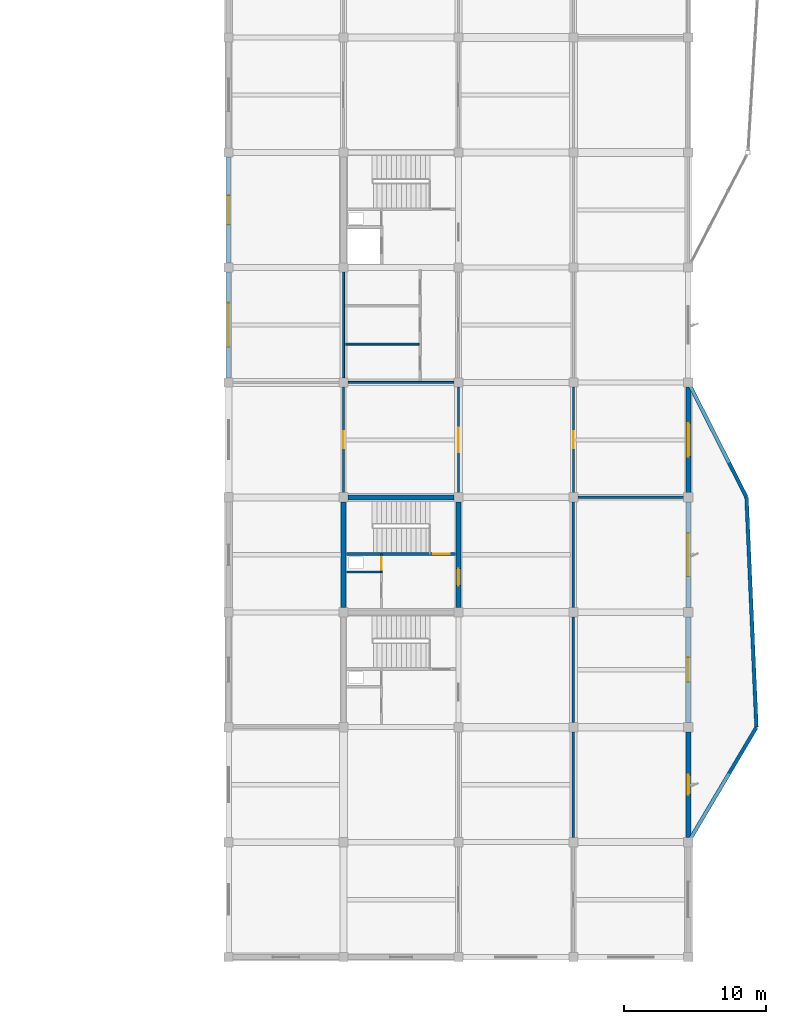
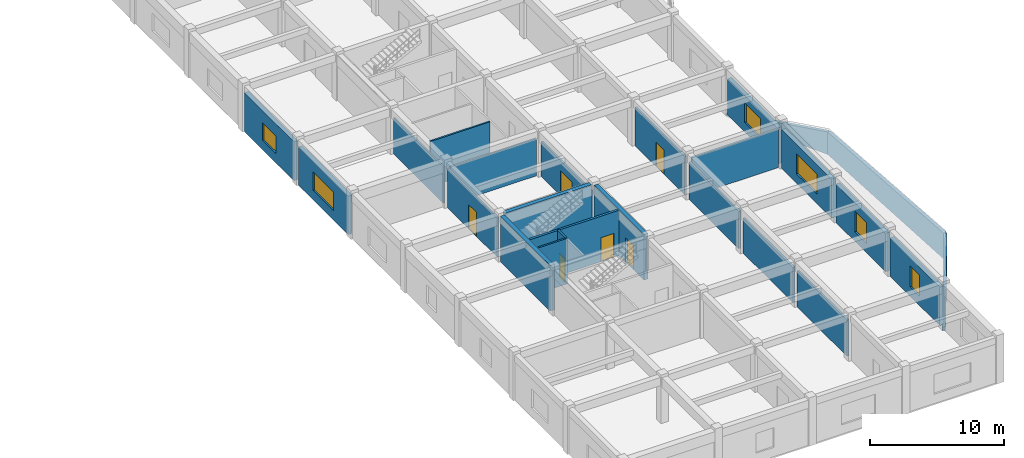
# One storey, part 32 of 42: 25 walls, 6 doors, 6 windows, 12 openings.
"""IFC4 building model written with IfcOpenShell, lengths in metres."""

from ifc_helpers import new_model, si_unit, direction, frame, frame_2d, origin, place, context, subcontext, project, spatial, polyline, rectangle, outline, extrude, material, layer, layer_set, type_object, element, fill, save


model = new_model("IFC4")

# Units and contexts
model_context = context("Model", 3, precision=1e-05, world=origin(), true_north=direction((0.0, 1.0)))
body_context = subcontext(model_context, "Body", "Model", "MODEL_VIEW")
ifc_project = project(units=[si_unit("LENGTHUNIT", "METRE"), si_unit("AREAUNIT", "SQUARE_METRE"), si_unit("VOLUMEUNIT", "CUBIC_METRE"), si_unit("PLANEANGLEUNIT", "RADIAN"), si_unit("MASSUNIT", "GRAM", prefix="KILO")], contexts=[model_context])

# Site, building, storey
site_placement = place(None, origin())
site = spatial("IfcSite", under=ifc_project, at=site_placement, CompositionType="ELEMENT")
building_placement = place(site_placement, origin())
building = spatial("IfcBuilding", under=site, at=building_placement, Name="Vaudrelin Polytechnic", CompositionType="ELEMENT")
storey_placement = place(building_placement, frame((0.0, 0.0, 18.530029296875)))
storey = spatial("IfcBuildingStorey", under=building, at=storey_placement, Name="L04", CompositionType="ELEMENT", Elevation=18.530029296875)

# Walls
ifc_material_1 = material(Name="Precast concrete 35 MPa with standing-seam zinc rainscreen", Category="concrete")
ifc_layer_1 = layer(ifc_material_1, 0.260009765625)
ifc_layer_set_1 = layer_set([ifc_layer_1], Name="Precast concrete 35 MPa with standing-seam zinc rainscreen")
wall_type_1 = type_object("IfcWallType", Name="WAL-EW-CLER260", PredefinedType="STANDARD", material=ifc_layer_set_1)
wall_1_placement = place(storey_placement, frame((170.110107421875, 24.317138671875, -0.35009765625), z_axis=(0.0, 0.0, 1.0), x_axis=(0.509812383307, 0.860285611775, 0.0)))
element("IfcWall", 1, at=wall_1_placement, inside=storey, type_object=wall_type_1, Name="Deconstructivist pod clerestory E_OR1-1", PredefinedType="STANDARD", context=body_context, shape_type="SweptSolid", body=[
    extrude(outline(polyline([(0.0, 0.0), (9.37548828125, 0.0), (9.37548828125, 2.360107421875), (0.0, 0.360107421875), (0.0, 0.0)])), frame((0.0, 0.1298828125, 0.0), z_axis=(0.0, -1.0, 0.0), x_axis=(1.0, 0.0, 0.0)), (0.0, 0.0, 1.0), 0.260009765625),
])
wall_2_placement = place(storey_placement, frame((174.899169921875, 32.419921875, -0.35009765625), z_axis=(0.0, 0.0, 1.0), x_axis=(-0.043167362599, 0.999067854956, 0.0)))
element("IfcWall", 2, at=wall_2_placement, inside=storey, type_object=wall_type_1, Name="Deconstructivist pod clerestory E_OR1-2", PredefinedType="STANDARD", context=body_context, shape_type="SweptSolid", body=[
    extrude(outline(polyline([(0.0, 0.0), (16.17529296875, 0.0), (16.175048828125, 2.068359375), (0.0, 2.360107421875), (0.0, 0.0)])), frame((0.0, 0.1298828125, 0.0), z_axis=(0.0, -1.0, 0.0), x_axis=(1.0, 0.0, 0.0)), (0.0, 0.0, 1.0), 0.260009765625),
])
wall_3_placement = place(storey_placement, frame((174.19091796875, 48.617919921875, -0.35009765625), z_axis=(0.0, 0.0, 1.0), x_axis=(-0.451627168657, 0.892206758846, 0.0)))
element("IfcWall", 3, at=wall_3_placement, inside=storey, type_object=wall_type_1, Name="Deconstructivist pod clerestory E_OR1-3", PredefinedType="STANDARD", context=body_context, shape_type="SweptSolid", body=[
    extrude(outline(polyline([(0.0, 0.0), (9.03857421875, 0.0), (9.03857421875, 0.360107421875), (0.0, 2.068359375), (0.0, 0.0)])), frame((0.0, 0.1298828125, 0.0), z_axis=(0.0, -1.0, 0.0), x_axis=(1.0, 0.0, 0.0)), (0.0, 0.0, 1.0), 0.260009765625),
])

# Wall, opening, window
ifc_material_2 = material(Name="Precast concrete 35 MPa with terracotta baguette screen", Category="masonry")
ifc_layer_2 = layer(ifc_material_2, 0.35009765625)
ifc_layer_set_2 = layer_set([ifc_layer_2], Name="Precast concrete 35 MPa with terracotta baguette screen")
wall_type_2 = type_object("IfcWallType", Name="WAL-EW-TERR350", PredefinedType="STANDARD", material=ifc_layer_set_2)
wall_4_placement = place(storey_placement, frame((170.10009765625, 24.623046875, 0.0), z_axis=(0.0, 0.0, 1.0), x_axis=(0.0, 1.0, 0.0)))
wall_4 = element("IfcWall", 4, at=wall_4_placement, inside=storey, type_object=wall_type_2, Name="Exterior wall L04 E_V4_01", PredefinedType="STANDARD", context=body_context, shape_type="SweptSolid", body=[
    extrude(rectangle(XDim=7.453857421875, YDim=0.35009765625, at=frame_2d((3.72705078125, 0.0))), origin(), (0.0, 0.0, 1.0), 3.511962890625),
])
opening_1_placement = place(wall_4_placement, frame((3.027099609375, 0.0, 0.85009765625)))
opening_1 = element("IfcOpeningElement", 5, at=opening_1_placement, cuts=wall_4, Name="Opening W-L04-E-V4-02", PredefinedType="OPENING", context=body_context, shape_type="SweptSolid", body=[
    extrude(rectangle(XDim=1.39990234375, YDim=1.89990234375, at=frame_2d((0.699951171875, 0.949951171875))), frame((0.0, 0.18505859375, 0.0), z_axis=(0.0, -1.0, 0.0), x_axis=(1.0, 0.0, 0.0)), (0.0, 0.0, 1.0), 0.3701171875),
])
ifc_material_3 = material(Name="Thermally broken aluminium frame with triple low-e glazing", Category="aluminium")
window_type_1 = type_object("IfcWindowType", Name="WIN-WN-28", PartitioningType="SINGLE_PANEL", PredefinedType="WINDOW", material=ifc_material_3)
window_1_placement = place(opening_1_placement, origin())
window_1 = element("IfcWindow", 6, at=window_1_placement, inside=storey, type_object=window_type_1, Name="Facade window L04-E_V4_01", OverallHeight=1.89990234375, OverallWidth=1.39990234375, PartitioningType="SINGLE_PANEL", PredefinedType="WINDOW", context=body_context, shape_type="SweptSolid", body=[
    extrude(rectangle(XDim=1.39990234375, YDim=1.89990234375, at=frame_2d((0.699951171875, 0.949951171875))), frame((0.0, 0.030029296875, 0.0), z_axis=(0.0, -1.0, 0.0), x_axis=(1.0, 0.0, 0.0)), (0.0, 0.0, 1.0), 0.06005859375),
])
fill(opening_1, window_1)

wall_5_placement = place(storey_placement, frame((170.10009765625, 32.722900390625, 0.0), z_axis=(0.0, 0.0, 1.0), x_axis=(0.0, 1.0, 0.0)))
wall_5 = element("IfcWall", 7, at=wall_5_placement, inside=storey, type_object=wall_type_2, Name="Exterior wall L04 E_V4_02", PredefinedType="STANDARD", context=body_context, shape_type="SweptSolid", body=[
    extrude(rectangle(XDim=7.4541015625, YDim=0.35009765625, at=frame_2d((3.72705078125, 0.0))), origin(), (0.0, 0.0, 1.0), 3.511962890625),
])
opening_2_placement = place(wall_5_placement, frame((2.85205078125, 0.0, 0.85009765625)))
opening_2 = element("IfcOpeningElement", 8, at=opening_2_placement, cuts=wall_5, Name="Opening W-L04-E-V4-03", PredefinedType="OPENING", context=body_context, shape_type="SweptSolid", body=[
    extrude(rectangle(XDim=1.75, YDim=1.89990234375, at=frame_2d((0.875, 0.949951171875))), frame((0.0, 0.18505859375, 0.0), z_axis=(0.0, -1.0, 0.0), x_axis=(1.0, 0.0, 0.0)), (0.0, 0.0, 1.0), 0.3701171875),
])
window_type_2 = type_object("IfcWindowType", Name="WIN-WN-29", PartitioningType="SINGLE_PANEL", PredefinedType="WINDOW", material=ifc_material_3)
window_2_placement = place(opening_2_placement, origin())
window_2 = element("IfcWindow", 9, at=window_2_placement, inside=storey, type_object=window_type_2, Name="Facade window L04-E_V4_02", OverallHeight=1.89990234375, OverallWidth=1.75, PartitioningType="SINGLE_PANEL", PredefinedType="WINDOW", context=body_context, shape_type="SweptSolid", body=[
    extrude(rectangle(XDim=1.75, YDim=1.89990234375, at=frame_2d((0.875, 0.949951171875))), frame((0.0, 0.030029296875, 0.0), z_axis=(0.0, -1.0, 0.0), x_axis=(1.0, 0.0, 0.0)), (0.0, 0.0, 1.0), 0.06005859375),
])
fill(opening_2, window_2)

wall_6_placement = place(storey_placement, frame((170.10009765625, 40.822998046875, 0.0), z_axis=(0.0, 0.0, 1.0), x_axis=(0.0, 1.0, 0.0)))
wall_6 = element("IfcWall", 10, at=wall_6_placement, inside=storey, type_object=wall_type_2, Name="Exterior wall L04 E_V4_03", PredefinedType="STANDARD", context=body_context, shape_type="SweptSolid", body=[
    extrude(rectangle(XDim=7.4541015625, YDim=0.35009765625, at=frame_2d((3.72705078125, 0.0))), origin(), (0.0, 0.0, 1.0), 3.56201171875),
])
opening_3_placement = place(wall_6_placement, frame((2.201904296875, 0.0, 0.85009765625)))
opening_3 = element("IfcOpeningElement", 11, at=opening_3_placement, cuts=wall_6, Name="Opening W-L04-E-V4-04", PredefinedType="OPENING", context=body_context, shape_type="SweptSolid", body=[
    extrude(rectangle(XDim=3.050048828125, YDim=1.85009765625, at=frame_2d((1.52490234375, 0.925048828125))), frame((0.0, 0.18505859375, 0.0), z_axis=(0.0, -1.0, 0.0), x_axis=(1.0, 0.0, 0.0)), (0.0, 0.0, 1.0), 0.3701171875),
])
window_type_3 = type_object("IfcWindowType", Name="WIN-WN-30", PartitioningType="SINGLE_PANEL", PredefinedType="WINDOW", material=ifc_material_3)
window_3_placement = place(opening_3_placement, origin())
window_3 = element("IfcWindow", 12, at=window_3_placement, inside=storey, type_object=window_type_3, Name="Facade window L04-E_V4_03", OverallHeight=1.85009765625, OverallWidth=3.050048828125, PartitioningType="SINGLE_PANEL", PredefinedType="WINDOW", context=body_context, shape_type="SweptSolid", body=[
    extrude(rectangle(XDim=3.050048828125, YDim=1.85009765625, at=frame_2d((1.52490234375, 0.925048828125))), frame((0.0, 0.030029296875, 0.0), z_axis=(0.0, -1.0, 0.0), x_axis=(1.0, 0.0, 0.0)), (0.0, 0.0, 1.0), 0.06005859375),
])
fill(opening_3, window_3)

wall_7_placement = place(storey_placement, frame((170.10009765625, 48.923095703125, 0.0), z_axis=(0.0, 0.0, 1.0), x_axis=(0.0, 1.0, 0.0)))
wall_7 = element("IfcWall", 13, at=wall_7_placement, inside=storey, type_object=wall_type_2, Name="Exterior wall L04 E_V4_04", PredefinedType="STANDARD", context=body_context, shape_type="SweptSolid", body=[
    extrude(rectangle(XDim=7.453857421875, YDim=0.35009765625, at=frame_2d((3.72705078125, 0.0))), origin(), (0.0, 0.0, 1.0), 3.31201171875),
])
opening_4_placement = place(wall_7_placement, frame((2.552001953125, 0.0, 0.85009765625)))
opening_4 = element("IfcOpeningElement", 14, at=opening_4_placement, cuts=wall_7, Name="Opening W-L04-E-V4-05", PredefinedType="OPENING", context=body_context, shape_type="SweptSolid", body=[
    extrude(rectangle(XDim=2.35009765625, YDim=1.800048828125, at=frame_2d((1.175048828125, 0.89990234375))), frame((0.0, 0.18505859375, 0.0), z_axis=(0.0, -1.0, 0.0), x_axis=(1.0, 0.0, 0.0)), (0.0, 0.0, 1.0), 0.3701171875),
])
window_type_4 = type_object("IfcWindowType", Name="WIN-WN-31", PartitioningType="SINGLE_PANEL", PredefinedType="WINDOW", material=ifc_material_3)
window_4_placement = place(opening_4_placement, origin())
window_4 = element("IfcWindow", 15, at=window_4_placement, inside=storey, type_object=window_type_4, Name="Facade window L04-E_V4_04", OverallHeight=1.800048828125, OverallWidth=2.35009765625, PartitioningType="SINGLE_PANEL", PredefinedType="WINDOW", context=body_context, shape_type="SweptSolid", body=[
    extrude(rectangle(XDim=2.35009765625, YDim=1.800048828125, at=frame_2d((1.175048828125, 0.89990234375))), frame((0.0, 0.030029296875, 0.0), z_axis=(0.0, -1.0, 0.0), x_axis=(1.0, 0.0, 0.0)), (0.0, 0.0, 1.0), 0.06005859375),
])
fill(opening_4, window_4)

wall_8_placement = place(storey_placement, frame((137.699951171875, 57.02294921875, 0.0), z_axis=(0.0, 0.0, 1.0), x_axis=(0.0, 1.0, 0.0)))
wall_8 = element("IfcWall", 16, at=wall_8_placement, inside=storey, type_object=wall_type_2, Name="Exterior wall L04 W_V4_05", PredefinedType="STANDARD", context=body_context, shape_type="SweptSolid", body=[
    extrude(rectangle(XDim=7.4541015625, YDim=0.35009765625, at=frame_2d((3.72705078125, 0.0))), origin(), (0.0, 0.0, 1.0), 3.511962890625),
])
opening_5_placement = place(wall_8_placement, frame((2.177001953125, 0.0, 0.85009765625)))
opening_5 = element("IfcOpeningElement", 17, at=opening_5_placement, cuts=wall_8, Name="Opening W-L04-W-V4-06", PredefinedType="OPENING", context=body_context, shape_type="SweptSolid", body=[
    extrude(rectangle(XDim=3.10009765625, YDim=1.699951171875, at=frame_2d((1.550048828125, 0.85009765625))), frame((0.0, 0.18505859375, 0.0), z_axis=(0.0, -1.0, 0.0), x_axis=(1.0, 0.0, 0.0)), (0.0, 0.0, 1.0), 0.3701171875),
])
window_type_5 = type_object("IfcWindowType", Name="WIN-WN-42", PartitioningType="SINGLE_PANEL", PredefinedType="WINDOW", material=ifc_material_3)
window_5_placement = place(opening_5_placement, origin())
window_5 = element("IfcWindow", 18, at=window_5_placement, inside=storey, type_object=window_type_5, Name="Facade window L04-W_V4_05", OverallHeight=1.699951171875, OverallWidth=3.10009765625, PartitioningType="SINGLE_PANEL", PredefinedType="WINDOW", context=body_context, shape_type="SweptSolid", body=[
    extrude(rectangle(XDim=3.10009765625, YDim=1.699951171875, at=frame_2d((1.550048828125, 0.85009765625))), frame((0.0, 0.030029296875, 0.0), z_axis=(0.0, -1.0, 0.0), x_axis=(1.0, 0.0, 0.0)), (0.0, 0.0, 1.0), 0.06005859375),
])
fill(opening_5, window_5)

wall_9_placement = place(storey_placement, frame((137.699951171875, 65.123046875, 0.0), z_axis=(0.0, 0.0, 1.0), x_axis=(0.0, 1.0, 0.0)))
wall_9 = element("IfcWall", 19, at=wall_9_placement, inside=storey, type_object=wall_type_2, Name="Exterior wall L04 W_V4_06", PredefinedType="STANDARD", context=body_context, shape_type="SweptSolid", body=[
    extrude(rectangle(XDim=7.453857421875, YDim=0.35009765625, at=frame_2d((3.72705078125, 0.0))), origin(), (0.0, 0.0, 1.0), 3.56201171875),
])
opening_6_placement = place(wall_9_placement, frame((2.701904296875, 0.0, 0.85009765625)))
opening_6 = element("IfcOpeningElement", 20, at=opening_6_placement, cuts=wall_9, Name="Opening W-L04-W-V4-07", PredefinedType="OPENING", context=body_context, shape_type="SweptSolid", body=[
    extrude(rectangle(XDim=2.050048828125, YDim=1.60009765625, at=frame_2d((1.02490234375, 0.800048828125))), frame((0.0, 0.18505859375, 0.0), z_axis=(0.0, -1.0, 0.0), x_axis=(1.0, 0.0, 0.0)), (0.0, 0.0, 1.0), 0.3701171875),
])
window_type_6 = type_object("IfcWindowType", Name="WIN-WN-43", PartitioningType="SINGLE_PANEL", PredefinedType="WINDOW", material=ifc_material_3)
window_6_placement = place(opening_6_placement, origin())
window_6 = element("IfcWindow", 21, at=window_6_placement, inside=storey, type_object=window_type_6, Name="Facade window L04-W_V4_06", OverallHeight=1.60009765625, OverallWidth=2.050048828125, PartitioningType="SINGLE_PANEL", PredefinedType="WINDOW", context=body_context, shape_type="SweptSolid", body=[
    extrude(rectangle(XDim=2.050048828125, YDim=1.60009765625, at=frame_2d((1.02490234375, 0.800048828125))), frame((0.0, 0.030029296875, 0.0), z_axis=(0.0, -1.0, 0.0), x_axis=(1.0, 0.0, 0.0)), (0.0, 0.0, 1.0), 0.06005859375),
])
fill(opening_6, window_6)

# Walls
ifc_material_4 = material(Name="Acoustic double-stud gypsum & mineral-wool partition", Category="gypsum")
ifc_layer_3 = layer(ifc_material_4, 0.179931640625)
ifc_layer_set_3 = layer_set([ifc_layer_3], Name="Acoustic double-stud gypsum & mineral-wool partition")
wall_type_3 = type_object("IfcWallType", Name="WAL-PW-AC180", PredefinedType="PARTITIONING", material=ifc_layer_set_3)
wall_10_placement = place(storey_placement, frame((162.0, 24.623046875, 0.0), z_axis=(0.0, 0.0, 1.0), x_axis=(0.0, 1.0, 0.0)))
element("IfcWall", 22, at=wall_10_placement, inside=storey, type_object=wall_type_3, Name="Partition L04-015 W", PredefinedType="PARTITIONING", context=body_context, shape_type="SweptSolid", body=[
    extrude(rectangle(XDim=7.453857421875, YDim=0.179931640625, at=frame_2d((3.72705078125, 0.0))), origin(), (0.0, 0.0, 1.0), 3.31201171875),
])
wall_11_placement = place(storey_placement, frame((162.0, 32.722900390625, 0.0), z_axis=(0.0, 0.0, 1.0), x_axis=(0.0, 1.0, 0.0)))
element("IfcWall", 23, at=wall_11_placement, inside=storey, type_object=wall_type_3, Name="Partition L04-015 W", PredefinedType="PARTITIONING", context=body_context, shape_type="SweptSolid", body=[
    extrude(rectangle(XDim=7.4541015625, YDim=0.179931640625, at=frame_2d((3.72705078125, 0.0))), origin(), (0.0, 0.0, 1.0), 3.2119140625),
])
wall_12_placement = place(storey_placement, frame((162.0, 40.822998046875, 0.0), z_axis=(0.0, 0.0, 1.0), x_axis=(0.0, 1.0, 0.0)))
element("IfcWall", 24, at=wall_12_placement, inside=storey, type_object=wall_type_3, Name="Partition L04-015 W", PredefinedType="PARTITIONING", context=body_context, shape_type="SweptSolid", body=[
    extrude(rectangle(XDim=7.4541015625, YDim=0.179931640625, at=frame_2d((3.72705078125, 0.0))), origin(), (0.0, 0.0, 1.0), 3.411865234375),
])
wall_13_placement = place(storey_placement, frame((162.322998046875, 48.60009765625, 0.0), z_axis=(0.0, 0.0, 1.0), x_axis=(1.0, 0.0, 0.0)))
element("IfcWall", 25, at=wall_13_placement, inside=storey, type_object=wall_type_3, Name="Partition L04-015 N", PredefinedType="PARTITIONING", context=body_context, shape_type="SweptSolid", body=[
    extrude(rectangle(XDim=7.4541015625, YDim=0.179931640625, at=frame_2d((3.72705078125, 0.0))), origin(), (0.0, 0.0, 1.0), 3.511962890625),
])

# Wall, opening, door
ifc_material_5 = material(Name="Fire-rated steel-stud gypsum compartment wall", Category="steel")
ifc_layer_4 = layer(ifc_material_5, 0.14990234375)
ifc_layer_set_4 = layer_set([ifc_layer_4], Name="Fire-rated steel-stud gypsum compartment wall")
wall_type_4 = type_object("IfcWallType", Name="WAL-PW-FIRE60", PredefinedType="PARTITIONING", material=ifc_layer_set_4)
wall_14_placement = place(storey_placement, frame((148.47998046875, 43.35009765625, 0.0), z_axis=(0.0, 0.0, 1.0), x_axis=(0.0, 1.0, 0.0)))
wall_14 = element("IfcWall", 26, at=wall_14_placement, inside=storey, type_object=wall_type_4, Name="Core C12 riser enclosure wall L04", PredefinedType="PARTITIONING", context=body_context, shape_type="SweptSolid", body=[
    extrude(rectangle(XDim=1.260009765625, YDim=0.14990234375, at=frame_2d((0.6298828125, 0.0))), origin(), (0.0, 0.0, 1.0), 4.161865234375),
])
opening_7_placement = place(wall_14_placement, frame((0.139892578125, 0.0, 0.0)))
opening_7 = element("IfcOpeningElement", 27, at=opening_7_placement, cuts=wall_14, Name="Opening D-L04-283", PredefinedType="OPENING", context=body_context, shape_type="SweptSolid", body=[
    extrude(rectangle(XDim=0.89990234375, YDim=2.14990234375, at=frame_2d((0.449951171875, 1.074951171875))), frame((0.0, 0.0849609375, 0.0), z_axis=(0.0, -1.0, 0.0), x_axis=(1.0, 0.0, 0.0)), (0.0, 0.0, 1.0), 0.169921875),
])
ifc_material_6 = material(Name="Pressed galvanised steel acoustic leaf", Category="steel")
door_type_1 = type_object("IfcDoorType", Name="DOR-ID-RSR1", OperationType="NOTDEFINED", PredefinedType="DOOR", material=ifc_material_6)
door_1_placement = place(opening_7_placement, origin())
door_1 = element("IfcDoor", 28, at=door_1_placement, inside=storey, type_object=door_type_1, Name="Core C12 riser access door L04", OperationType="SINGLE_SWING_RIGHT", OverallHeight=2.14990234375, OverallWidth=0.89990234375, PredefinedType="DOOR", context=body_context, shape_type="SweptSolid", body=[
    extrude(rectangle(XDim=0.89990234375, YDim=2.14990234375, at=frame_2d((0.449951171875, 1.074951171875))), frame((0.0, 0.02490234375, 0.0), z_axis=(0.0, -1.0, 0.0), x_axis=(1.0, 0.0, 0.0)), (0.0, 0.0, 1.0), 0.050048828125),
])
fill(opening_7, door_1)

# Wall
wall_15_placement = place(storey_placement, frame((146.02001953125, 43.35009765625, 0.0), z_axis=(0.0, 0.0, 1.0), x_axis=(1.0, 0.0, 0.0)))
element("IfcWall", 29, at=wall_15_placement, inside=storey, type_object=wall_type_4, Name="Core C12 riser south fire wall L04", PredefinedType="PARTITIONING", context=body_context, shape_type="SweptSolid", body=[
    extrude(rectangle(XDim=2.530029296875, YDim=0.14990234375, at=frame_2d((1.26513671875, 0.0))), origin(), (0.0, 0.0, 1.0), 4.161865234375),
])

# Wall, opening, door
ifc_material_7 = material(Name="Moisture- and chemical-resistant laboratory partition", Category="gypsum")
ifc_layer_5 = layer(ifc_material_7, 0.159912109375)
ifc_layer_set_5 = layer_set([ifc_layer_5], Name="Moisture- and chemical-resistant laboratory partition")
wall_type_5 = type_object("IfcWallType", Name="WAL-PW-LAB160", PredefinedType="PARTITIONING", material=ifc_layer_set_5)
wall_16_placement = place(storey_placement, frame((145.800048828125, 48.923095703125, 0.0), z_axis=(0.0, 0.0, 1.0), x_axis=(0.0, 1.0, 0.0)))
wall_16 = element("IfcWall", 30, at=wall_16_placement, inside=storey, type_object=wall_type_5, Name="Partition L04-009 E", PredefinedType="PARTITIONING", context=body_context, shape_type="SweptSolid", body=[
    extrude(rectangle(XDim=7.453857421875, YDim=0.159912109375, at=frame_2d((3.72705078125, 0.0))), origin(), (0.0, 0.0, 1.0), 3.56201171875),
])
opening_8_placement = place(wall_16_placement, frame((3.126953125, 0.0, 0.0)))
opening_8 = element("IfcOpeningElement", 31, at=opening_8_placement, cuts=wall_16, Name="Opening D-L04-524", PredefinedType="OPENING", context=body_context, shape_type="SweptSolid", body=[
    extrude(rectangle(XDim=1.199951171875, YDim=2.199951171875, at=frame_2d((0.60009765625, 1.10009765625))), frame((0.0, 0.08984375, 0.0), z_axis=(0.0, -1.0, 0.0), x_axis=(1.0, 0.0, 0.0)), (0.0, 0.0, 1.0), 0.179931640625),
])
door_type_2 = type_object("IfcDoorType", Name="DOR-ID-LAB2", OperationType="NOTDEFINED", PredefinedType="DOOR", material=ifc_material_6)
door_2_placement = place(opening_8_placement, origin())
door_2 = element("IfcDoor", 32, at=door_2_placement, inside=storey, type_object=door_type_2, Name="Hydrology Specimen Prep Laboratory door L04-009", OperationType="SINGLE_SWING_RIGHT", OverallHeight=2.199951171875, OverallWidth=1.199951171875, PredefinedType="DOOR", context=body_context, shape_type="SweptSolid", body=[
    extrude(rectangle(XDim=1.199951171875, YDim=2.199951171875, at=frame_2d((0.60009765625, 1.10009765625))), frame((0.0, 0.02490234375, 0.0), z_axis=(0.0, -1.0, 0.0), x_axis=(1.0, 0.0, 0.0)), (0.0, 0.0, 1.0), 0.050048828125),
])
fill(opening_8, door_2)

wall_17_placement = place(storey_placement, frame((162.0, 48.923095703125, 0.0), z_axis=(0.0, 0.0, 1.0), x_axis=(0.0, 1.0, 0.0)))
wall_17 = element("IfcWall", 33, at=wall_17_placement, inside=storey, type_object=wall_type_5, Name="Partition L04-016 W", PredefinedType="PARTITIONING", context=body_context, shape_type="SweptSolid", body=[
    extrude(rectangle(XDim=7.453857421875, YDim=0.159912109375, at=frame_2d((3.72705078125, 0.0))), origin(), (0.0, 0.0, 1.0), 3.511962890625),
])
opening_9_placement = place(wall_17_placement, frame((3.126953125, 0.0, 0.0)))
opening_9 = element("IfcOpeningElement", 34, at=opening_9_placement, cuts=wall_17, Name="Opening D-L04-530", PredefinedType="OPENING", context=body_context, shape_type="SweptSolid", body=[
    extrude(rectangle(XDim=1.199951171875, YDim=2.199951171875, at=frame_2d((0.60009765625, 1.10009765625))), frame((0.0, 0.08984375, 0.0), z_axis=(0.0, -1.0, 0.0), x_axis=(1.0, 0.0, 0.0)), (0.0, 0.0, 1.0), 0.179931640625),
])
door_3_placement = place(opening_9_placement, origin())
door_3 = element("IfcDoor", 35, at=door_3_placement, inside=storey, type_object=door_type_2, Name="Environmental Analytical Laboratory door L04-016", OperationType="SINGLE_SWING_LEFT", OverallHeight=2.199951171875, OverallWidth=1.199951171875, PredefinedType="DOOR", context=body_context, shape_type="SweptSolid", body=[
    extrude(rectangle(XDim=1.199951171875, YDim=2.199951171875, at=frame_2d((0.60009765625, 1.10009765625))), frame((0.0, 0.02490234375, 0.0), z_axis=(0.0, -1.0, 0.0), x_axis=(1.0, 0.0, 0.0)), (0.0, 0.0, 1.0), 0.050048828125),
])
fill(opening_9, door_3)

wall_18_placement = place(storey_placement, frame((153.89990234375, 48.923095703125, 0.0), z_axis=(0.0, 0.0, 1.0), x_axis=(0.0, 1.0, 0.0)))
wall_18 = element("IfcWall", 36, at=wall_18_placement, inside=storey, type_object=wall_type_5, Name="Partition L04-025 E", PredefinedType="PARTITIONING", context=body_context, shape_type="SweptSolid", body=[
    extrude(rectangle(XDim=7.453857421875, YDim=0.159912109375, at=frame_2d((3.72705078125, 0.0))), origin(), (0.0, 0.0, 1.0), 3.2119140625),
])
opening_10_placement = place(wall_18_placement, frame((2.866943359375, 0.0, 0.0)))
opening_10 = element("IfcOpeningElement", 37, at=opening_10_placement, cuts=wall_18, Name="Opening D-L04-539", PredefinedType="OPENING", context=body_context, shape_type="SweptSolid", body=[
    extrude(rectangle(XDim=1.719970703125, YDim=2.300048828125, at=frame_2d((0.85986328125, 1.14990234375))), frame((0.0, 0.08984375, 0.0), z_axis=(0.0, -1.0, 0.0), x_axis=(1.0, 0.0, 0.0)), (0.0, 0.0, 1.0), 0.179931640625),
])
door_type_3 = type_object("IfcDoorType", Name="DOR-ID-LAB5", OperationType="NOTDEFINED", PredefinedType="DOOR", material=ifc_material_6)
door_4_placement = place(opening_10_placement, origin())
door_4 = element("IfcDoor", 38, at=door_4_placement, inside=storey, type_object=door_type_3, Name="Bioprocess Media Prep Laboratory door L04-025", OperationType="DOUBLE_SWING_LEFT", OverallHeight=2.300048828125, OverallWidth=1.719970703125, PredefinedType="DOOR", context=body_context, shape_type="SweptSolid", body=[
    extrude(rectangle(XDim=1.719970703125, YDim=2.300048828125, at=frame_2d((0.85986328125, 1.14990234375))), frame((0.0, 0.02490234375, 0.0), z_axis=(0.0, -1.0, 0.0), x_axis=(1.0, 0.0, 0.0)), (0.0, 0.0, 1.0), 0.050048828125),
])
fill(opening_10, door_4)

# Walls
ifc_material_8 = material(Name="Cement-board tiled wet-wall washroom partition", Category="gypsum")
ifc_layer_6 = layer(ifc_material_8, 0.139892578125)
ifc_layer_set_6 = layer_set([ifc_layer_6], Name="Cement-board tiled wet-wall washroom partition")
wall_type_6 = type_object("IfcWallType", Name="WAL-PW-WC140", PredefinedType="PARTITIONING", material=ifc_layer_set_6)
wall_19_placement = place(storey_placement, frame((146.123046875, 56.699951171875, 0.0), z_axis=(0.0, 0.0, 1.0), x_axis=(1.0, 0.0, 0.0)))
element("IfcWall", 39, at=wall_19_placement, inside=storey, type_object=wall_type_6, Name="Washroom enclosure wall L04-18-7-S", PredefinedType="PARTITIONING", context=body_context, shape_type="SweptSolid", body=[
    extrude(rectangle(XDim=7.453857421875, YDim=0.139892578125, at=frame_2d((3.72705078125, 0.0))), origin(), (0.0, 0.0, 1.0), 3.409912109375),
])
wall_20_placement = place(storey_placement, frame((145.800048828125, 57.02294921875, 0.0), z_axis=(0.0, 0.0, 1.0), x_axis=(0.0, 1.0, 0.0)))
element("IfcWall", 40, at=wall_20_placement, inside=storey, type_object=wall_type_6, Name="Washroom enclosure wall L04-18-7-W", PredefinedType="PARTITIONING", context=body_context, shape_type="SweptSolid", body=[
    extrude(rectangle(XDim=7.4541015625, YDim=0.139892578125, at=frame_2d((3.72705078125, 0.0))), origin(), (0.0, 0.0, 1.0), 3.31005859375),
])
wall_21_placement = place(storey_placement, frame((145.949951171875, 59.39990234375, 0.0), z_axis=(0.0, 0.0, 1.0), x_axis=(1.0, 0.0, 0.0)))
element("IfcWall", 41, at=wall_21_placement, inside=storey, type_object=wall_type_6, Name="Washroom separation wall L04-18-7-1", PredefinedType="PARTITIONING", context=body_context, shape_type="SweptSolid", body=[
    extrude(rectangle(XDim=5.179931640625, YDim=0.139892578125, at=frame_2d((2.58984375, 0.0))), origin(), (0.0, 0.0, 1.0), 4.161865234375),
])

# Wall, opening, door
ifc_material_9 = material(Name="Concrete 40 MPa", Category="concrete")
ifc_layer_7 = layer(ifc_material_9, 0.199951171875)
ifc_layer_set_7 = layer_set([ifc_layer_7], Name="Concrete 40 MPa")
wall_type_7 = type_object("IfcWallType", Name="WAL-SW-CORE200", PredefinedType="SHEAR", material=ifc_layer_set_7)
wall_22_placement = place(storey_placement, frame((146.02001953125, 44.610107421875, 0.0), z_axis=(0.0, 0.0, 1.0), x_axis=(1.0, 0.0, 0.0)))
wall_22 = element("IfcWall", 42, at=wall_22_placement, inside=storey, type_object=wall_type_7, Name="Core C12 stair enclosure wall L04", PredefinedType="SHEAR", context=body_context, shape_type="SweptSolid", body=[
    extrude(rectangle(XDim=7.659912109375, YDim=0.199951171875, at=frame_2d((3.830078125, 0.0))), origin(), (0.0, 0.0, 1.0), 4.161865234375),
])
opening_11_placement = place(wall_22_placement, frame((6.110107421875, 0.0, 0.0)))
opening_11 = element("IfcOpeningElement", 43, at=opening_11_placement, cuts=wall_22, Name="Opening D-L04-282", PredefinedType="OPENING", context=body_context, shape_type="SweptSolid", body=[
    extrude(rectangle(XDim=1.14990234375, YDim=2.199951171875, at=frame_2d((0.574951171875, 1.10009765625))), frame((0.0, 0.10986328125, 0.0), z_axis=(0.0, -1.0, 0.0), x_axis=(1.0, 0.0, 0.0)), (0.0, 0.0, 1.0), 0.219970703125),
])
door_type_4 = type_object("IfcDoorType", Name="DOR-ID-ST1", OperationType="NOTDEFINED", PredefinedType="DOOR", material=ifc_material_6)
door_5_placement = place(opening_11_placement, origin())
door_5 = element("IfcDoor", 44, at=door_5_placement, inside=storey, type_object=door_type_4, Name="Core C12 exit stair door L04", OperationType="SINGLE_SWING_LEFT", OverallHeight=2.199951171875, OverallWidth=1.14990234375, PredefinedType="DOOR", context=body_context, shape_type="SweptSolid", body=[
    extrude(rectangle(XDim=1.14990234375, YDim=2.199951171875, at=frame_2d((0.574951171875, 1.10009765625))), frame((0.0, 0.02490234375, 0.0), z_axis=(0.0, -1.0, 0.0), x_axis=(1.0, 0.0, 0.0)), (0.0, 0.0, 1.0), 0.050048828125),
])
fill(opening_11, door_5)

# Walls
ifc_material_10 = material(Name="Concrete 50 MPa", Category="concrete")
ifc_layer_8 = layer(ifc_material_10, 0.35009765625)
ifc_layer_set_8 = layer_set([ifc_layer_8], Name="Concrete 50 MPa")
wall_type_8 = type_object("IfcWallType", Name="WAL-SW-CORE350", PredefinedType="SHEAR", material=ifc_layer_set_8)
wall_23_placement = place(storey_placement, frame((146.123046875, 48.60009765625, 0.0), z_axis=(0.0, 0.0, 1.0), x_axis=(1.0, 0.0, 0.0)))
element("IfcWall", 45, at=wall_23_placement, inside=storey, type_object=wall_type_8, Name="Core C12 N shear wall L04", PredefinedType="SHEAR", context=body_context, shape_type="SweptSolid", body=[
    extrude(rectangle(XDim=7.453857421875, YDim=0.35009765625, at=frame_2d((3.72705078125, 0.0))), origin(), (0.0, 0.0, 1.0), 4.161865234375),
])
wall_24_placement = place(storey_placement, frame((145.800048828125, 40.822998046875, 0.0), z_axis=(0.0, 0.0, 1.0), x_axis=(0.0, 1.0, 0.0)))
element("IfcWall", 46, at=wall_24_placement, inside=storey, type_object=wall_type_8, Name="Core C12 W shear wall L04", PredefinedType="SHEAR", context=body_context, shape_type="SweptSolid", body=[
    extrude(rectangle(XDim=7.4541015625, YDim=0.35009765625, at=frame_2d((3.72705078125, 0.0))), origin(), (0.0, 0.0, 1.0), 4.161865234375),
])

# Wall, opening, door
wall_25_placement = place(storey_placement, frame((153.89990234375, 40.822998046875, 0.0), z_axis=(0.0, 0.0, 1.0), x_axis=(0.0, 1.0, 0.0)))
wall_25 = element("IfcWall", 47, at=wall_25_placement, inside=storey, type_object=wall_type_8, Name="Core C12 E shear wall L04", PredefinedType="SHEAR", context=body_context, shape_type="SweptSolid", body=[
    extrude(rectangle(XDim=7.4541015625, YDim=0.35009765625, at=frame_2d((3.72705078125, 0.0))), origin(), (0.0, 0.0, 1.0), 4.161865234375),
])
opening_12_placement = place(wall_25_placement, frame((1.550048828125, 0.0, 0.0)))
opening_12 = element("IfcOpeningElement", 48, at=opening_12_placement, cuts=wall_25, Name="Opening D-L04-281", PredefinedType="OPENING", context=body_context, shape_type="SweptSolid", body=[
    extrude(rectangle(XDim=1.199951171875, YDim=2.199951171875, at=frame_2d((0.60009765625, 1.10009765625))), frame((0.0, 0.18505859375, 0.0), z_axis=(0.0, -1.0, 0.0), x_axis=(1.0, 0.0, 0.0)), (0.0, 0.0, 1.0), 0.3701171875),
])
door_type_5 = type_object("IfcDoorType", Name="DOR-ID-LB1", OperationType="NOTDEFINED", PredefinedType="DOOR", material=ifc_material_6)
door_6_placement = place(opening_12_placement, origin())
door_6 = element("IfcDoor", 49, at=door_6_placement, inside=storey, type_object=door_type_5, Name="Core C12 lobby fire door L04", OperationType="SINGLE_SWING_LEFT", OverallHeight=2.199951171875, OverallWidth=1.199951171875, PredefinedType="DOOR", context=body_context, shape_type="SweptSolid", body=[
    extrude(rectangle(XDim=1.199951171875, YDim=2.199951171875, at=frame_2d((0.60009765625, 1.10009765625))), frame((0.0, 0.02490234375, 0.0), z_axis=(0.0, -1.0, 0.0), x_axis=(1.0, 0.0, 0.0)), (0.0, 0.0, 1.0), 0.050048828125),
])
fill(opening_12, door_6)

save(model, "model.ifc")
